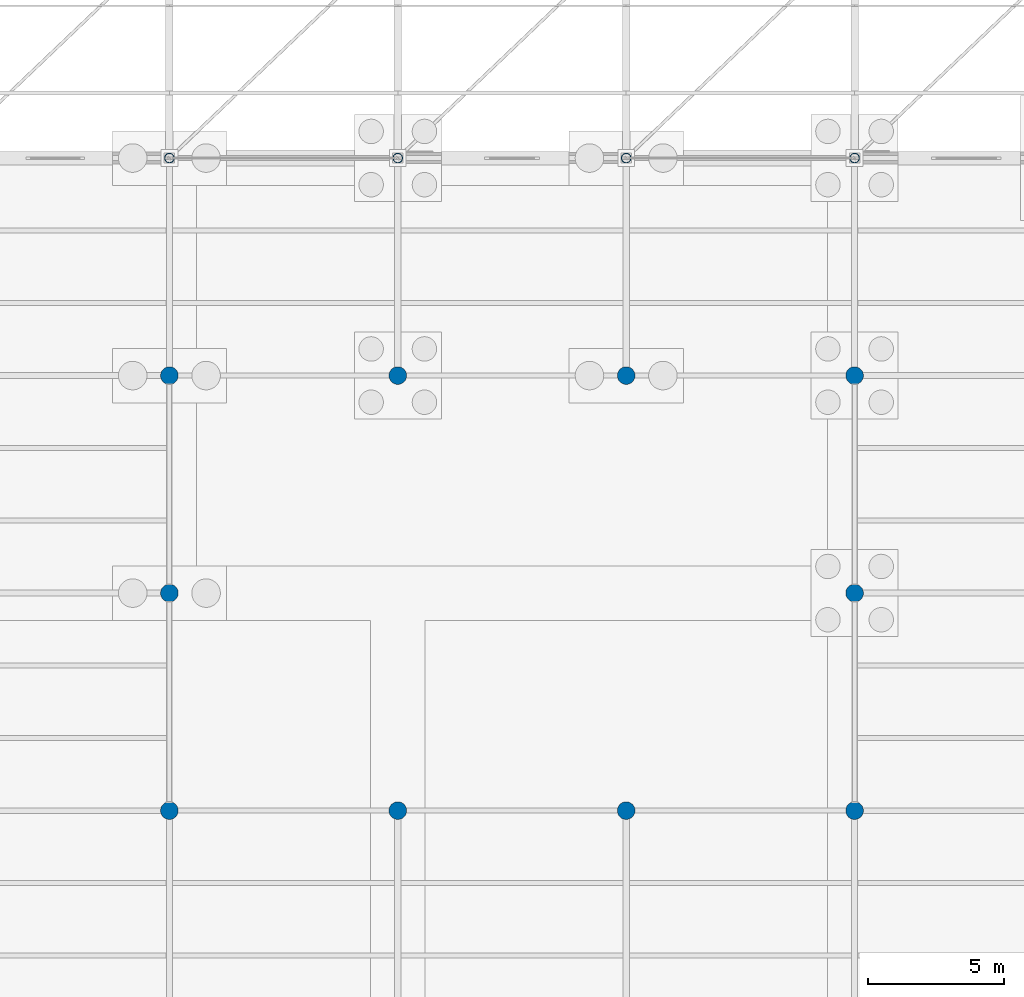
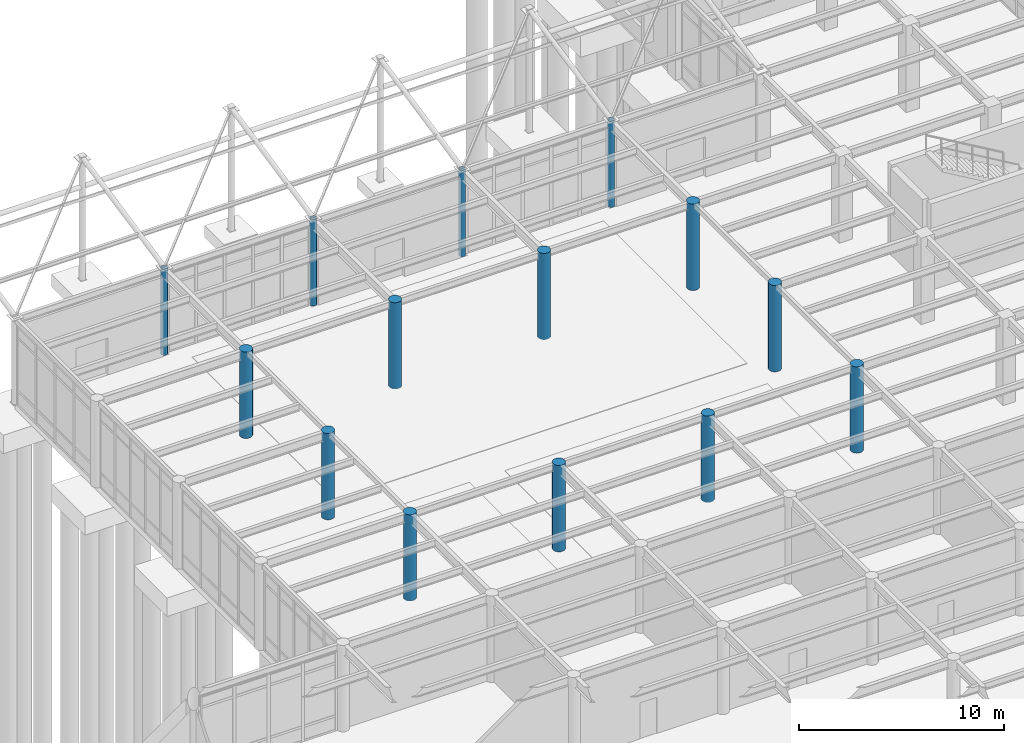
# One storey, part 15 of 138: 14 columns.
"""IFC4 building model written with IfcOpenShell, lengths in metres."""

from ifc_helpers import new_model, si_unit, direction, frame, origin, origin_2d, place, context, subcontext, project, spatial, circle, hollow_circle, extrude, material, material_profile, profile_set, type_object, element, save


model = new_model("IFC4")

# Units and contexts
model_context = context("Model", 3, precision=1e-05, world=origin(), true_north=direction((0.0, 1.0)))
body_context = subcontext(model_context, "Body", "Model", "MODEL_VIEW")
ifc_project = project(units=[si_unit("LENGTHUNIT", "METRE"), si_unit("AREAUNIT", "SQUARE_METRE"), si_unit("VOLUMEUNIT", "CUBIC_METRE"), si_unit("PLANEANGLEUNIT", "RADIAN"), si_unit("MASSUNIT", "GRAM", prefix="KILO")], contexts=[model_context])

# Site, building, storey
site_placement = place(None, origin())
site = spatial("IfcSite", under=ifc_project, at=site_placement, CompositionType="ELEMENT")
building_placement = place(site_placement, origin())
building = spatial("IfcBuilding", under=site, at=building_placement, Name="Kranzveld Transit Interchange", CompositionType="ELEMENT")
storey_placement = place(building_placement, origin())
storey = spatial("IfcBuildingStorey", under=building, at=storey_placement, Name="L00", CompositionType="ELEMENT", Elevation=0.0)

# Columns
ifc_material_1 = material(Name="Steel S355JR", Category="steel")
ifc_material_profile_1 = material_profile(ifc_material_1, hollow_circle(Radius=0.177734375, WallThickness=0.012451171875, at=origin_2d()), Name="CHS 355.6x12.5")
ifc_profile_set_1 = profile_set([ifc_material_profile_1], Name="Steel S355JR")
column_type_1 = type_object("IfcColumnType", Name="Arcade Column CHS 355.6x12.5 S355JR", PredefinedType="COLUMN", material=ifc_profile_set_1)
for number, where, z_axis, x_axis, name in (
    (1, (67.199951171875, 88.0, 0.0), (0.0, 0.0, 1.0), (1.0, 0.0, 0.0), "L00 Column 09/M"),
    (2, (75.60009765625, 88.0, 0.0), (0.0, 0.0, 1.0), (1.0, 0.0, 0.0), "L00 Column 10/M"),
    (3, (84.0, 88.0, 0.0), (0.0, 0.0, 1.0), (1.0, 0.0, 0.0), "L00 Column 11/M"),
    (4, (92.39990234375, 88.0, 0.0), (0.0, 0.0, 1.0), (1.0, 0.0, 0.0), "L00 Column 12/M"),
):
    element("IfcColumn", number, at=place(storey_placement, frame(where, z_axis=z_axis, x_axis=x_axis)), inside=storey, type_object=column_type_1, Name=name, PredefinedType="COLUMN", context=body_context, shape_type="SweptSolid", body=[
        extrude(hollow_circle(Radius=0.177734375, WallThickness=0.012451171875, at=origin_2d()), origin(), (0.0, 0.0, 1.0), 5.14990234375),
    ])
ifc_material_2 = material(Name="Concrete C35/45", Category="concrete")
ifc_material_profile_2 = material_profile(ifc_material_2, circle(Radius=0.324951171875, at=origin_2d()), Name="RC DIA 650")
ifc_profile_set_2 = profile_set([ifc_material_profile_2], Name="Concrete C35/45")
column_type_2 = type_object("IfcColumnType", Name="Column RC Dia 650 C35/45", PredefinedType="COLUMN", material=ifc_profile_set_2)
for number, where, z_axis, x_axis, name in (
    (5, (67.199951171875, 64.0, 0.0), (0.0, 0.0, 1.0), (1.0, 0.0, 0.0), "L00 Column 09/J"),
    (6, (67.199951171875, 72.0, 0.0), (0.0, 0.0, 1.0), (1.0, 0.0, 0.0), "L00 Column 09/K"),
    (7, (67.199951171875, 80.0, 0.0), (0.0, 0.0, 1.0), (1.0, 0.0, 0.0), "L00 Column 09/L"),
    (8, (75.60009765625, 64.0, 0.0), (0.0, 0.0, 1.0), (1.0, 0.0, 0.0), "L00 Column 10/J"),
    (9, (75.60009765625, 80.0, 0.0), (0.0, 0.0, 1.0), (1.0, 0.0, 0.0), "L00 Column 10/L"),
    (10, (84.0, 64.0, 0.0), (0.0, 0.0, 1.0), (1.0, 0.0, 0.0), "L00 Column 11/J"),
    (11, (84.0, 80.0, 0.0), (0.0, 0.0, 1.0), (1.0, 0.0, 0.0), "L00 Column 11/L"),
    (12, (92.39990234375, 64.0, 0.0), (0.0, 0.0, 1.0), (1.0, 0.0, 0.0), "L00 Column 12/J"),
    (13, (92.39990234375, 72.0, 0.0), (0.0, 0.0, 1.0), (1.0, 0.0, 0.0), "L00 Column 12/K"),
    (14, (92.39990234375, 80.0, 0.0), (0.0, 0.0, 1.0), (1.0, 0.0, 0.0), "L00 Column 12/L"),
):
    element("IfcColumn", number, at=place(storey_placement, frame(where, z_axis=z_axis, x_axis=x_axis)), inside=storey, type_object=column_type_2, Name=name, PredefinedType="COLUMN", context=body_context, shape_type="SweptSolid", body=[
        extrude(circle(Radius=0.324951171875, at=origin_2d()), origin(), (0.0, 0.0, 1.0), 5.14990234375),
    ])

save(model, "model.ifc")
